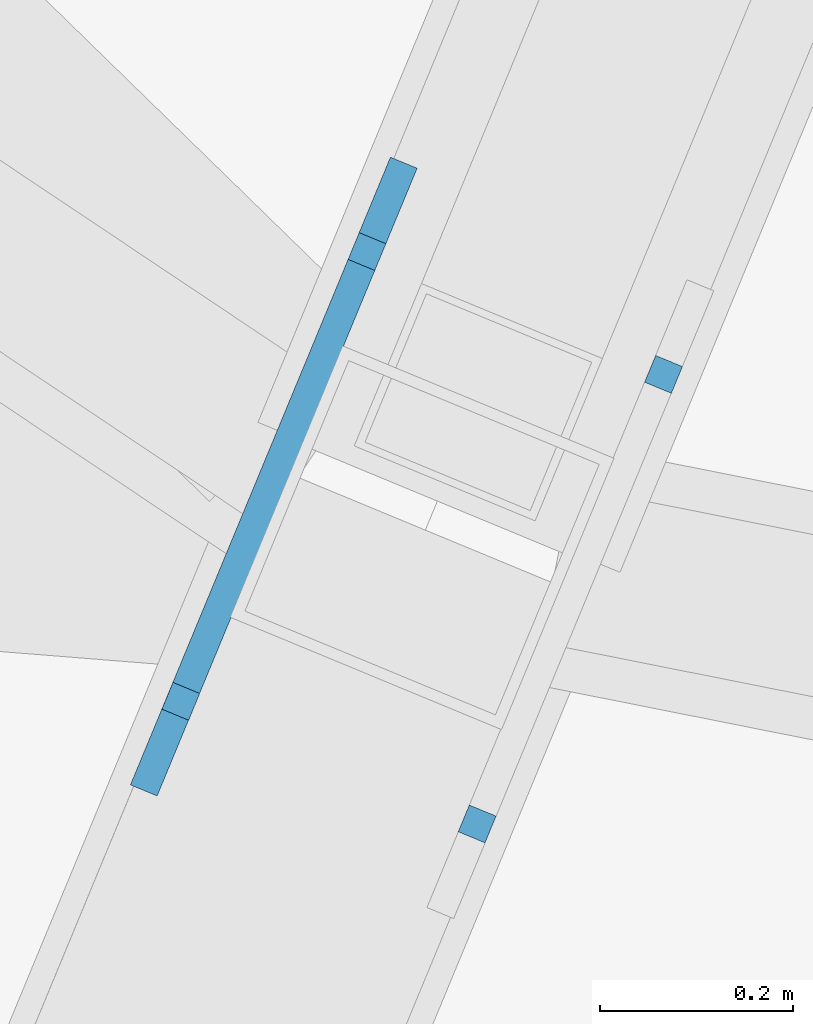
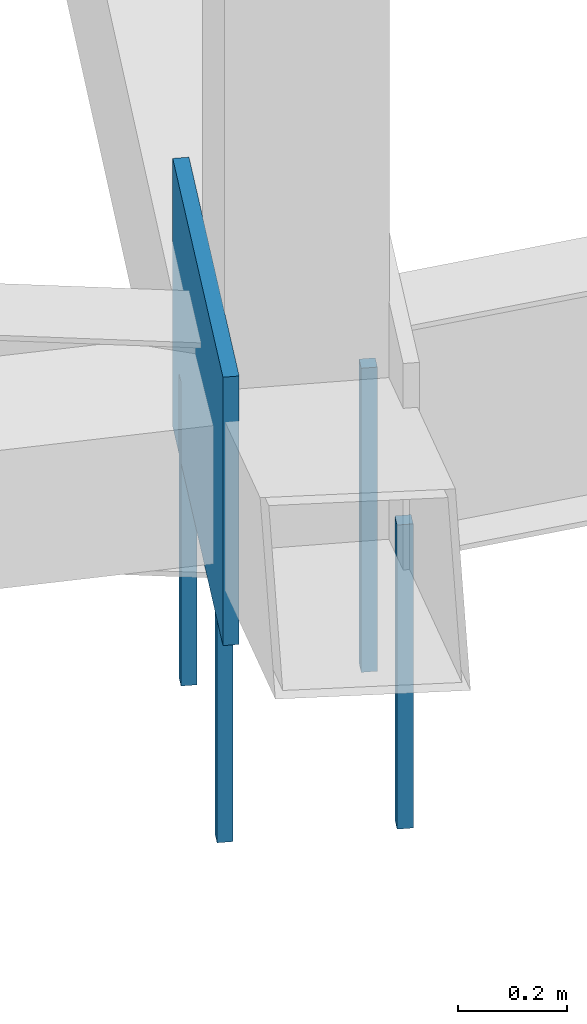
# One storey, part 118 of 278: 4 mechanical fasteners, 1 discrete accessory.
"""IFC4 building model written with IfcOpenShell, lengths in metres."""

import ifcopenshell
import ifcopenshell.guid

model = None  # the IFC model being written
_history = None  # IfcOwnerHistory: only IFC2X3 demands one
_inside = {}  # id of a spatial element -> (the spatial element, [elements in it])
_under = {}  # id of a project, library or spatial element -> (it, [spatial elements below it])
_declared = {}  # id of a project -> (the project, [libraries it declares])
_typed = {}  # id of a type object -> (the type object, [elements of that type])
_made_of = {}  # id of a material, layer set ... -> (it, [elements and type objects made of it])


def new_model(schema):
    """Start an empty IFC model of exactly this schema.

    Asked for "IFC4X3", IfcOpenShell would pick the latest addendum, in which some entities
    have other attributes; the version numbers below select the first issue.
    IFC2X3 requires an IfcOwnerHistory on every rooted entity: one is made here for all.
    """
    global model, _history
    if schema == "IFC4X3":
        model = ifcopenshell.file(schema_version=(4, 3, 0, 0))
    else:
        model = ifcopenshell.file(schema=schema)
    _inside.clear()
    _under.clear()
    _declared.clear()
    _typed.clear()
    _made_of.clear()
    _history = None
    if model.schema == "IFC2X3":
        org = make("IfcOrganization", Name="unknown")
        user = make(
            "IfcPersonAndOrganization",
            ThePerson=make("IfcPerson", FamilyName="unknown"),
            TheOrganization=org,
        )
        app = make(
            "IfcApplication",
            ApplicationDeveloper=org,
            Version="unknown",
            ApplicationFullName="unknown",
            ApplicationIdentifier="unknown",
        )
        _history = make(
            "IfcOwnerHistory",
            OwningUser=user,
            OwningApplication=app,
            ChangeAction="ADDED",
            CreationDate=0,
        )
    return model


def make(cls, **values):
    """One entity of the class cls with the attributes given. An attribute that is None is left unset."""
    return model.create_entity(
        cls, **{name: value for name, value in values.items() if value is not None}
    )


def rooted(cls, **values):
    """An entity with a GlobalId (a new one), such as an element, a storey or a relation."""
    return make(cls, GlobalId=ifcopenshell.guid.new(), OwnerHistory=_history, **values)


def si_unit(unit_type, name, prefix=None):
    """IfcSIUnit, for example si_unit("LENGTHUNIT", "METRE", prefix="MILLI")."""
    return make("IfcSIUnit", UnitType=unit_type, Prefix=prefix, Name=name)


def assignment(units):
    """IfcUnitAssignment: the units of a project."""
    return None if units is None else make("IfcUnitAssignment", Units=units)


def point(xyz):
    """IfcCartesianPoint."""
    return None if xyz is None else make("IfcCartesianPoint", Coordinates=xyz)


def direction(xyz):
    """IfcDirection."""
    return None if xyz is None else make("IfcDirection", DirectionRatios=xyz)


def frame(location, z_axis=None, x_axis=None):
    """IfcAxis2Placement3D, a coordinate frame: its origin and axes. An axis left out is left unset."""
    return make(
        "IfcAxis2Placement3D",
        Location=point(location),
        Axis=direction(z_axis),
        RefDirection=direction(x_axis),
    )


def frame_2d(location, x_axis=None):
    """IfcAxis2Placement2D, a coordinate frame in the plane: its origin and x axis."""
    return make(
        "IfcAxis2Placement2D", Location=point(location), RefDirection=direction(x_axis)
    )


def origin():
    """The frame at (0, 0, 0) with its axes left unset."""
    return frame((0.0, 0.0, 0.0))


def origin_2d():
    """The frame at (0, 0) in the plane with its x axis left unset."""
    return frame_2d((0.0, 0.0))


def place(relative_to, where):
    """IfcLocalPlacement: puts the frame where relative to a parent placement (None: the world)."""
    return make(
        "IfcLocalPlacement", PlacementRelTo=relative_to, RelativePlacement=where
    )


def context(
    kind, dimensions, precision=None, world=None, true_north=None, identifier=None
):
    """IfcGeometricRepresentationContext, for example the 3D "Model" context."""
    return make(
        "IfcGeometricRepresentationContext",
        ContextIdentifier=identifier,
        ContextType=kind,
        CoordinateSpaceDimension=dimensions,
        Precision=precision,
        WorldCoordinateSystem=world,
        TrueNorth=true_north,
    )


def subcontext(parent, identifier, kind, view, scale=None):
    """IfcGeometricRepresentationSubContext, for example "Body" below "Model"."""
    return make(
        "IfcGeometricRepresentationSubContext",
        ContextIdentifier=identifier,
        ContextType=kind,
        ParentContext=parent,
        TargetScale=scale,
        TargetView=view,
    )


def project(units=None, contexts=None):
    """IfcProject with its units and contexts."""
    return rooted(
        "IfcProject",
        Name="project",
        RepresentationContexts=contexts,
        UnitsInContext=assignment(units),
    )


def spatial(cls, under=None, at=None, **own):
    """A site, building, storey or space (cls), placed at a placement, below another one or the project."""
    s = rooted(cls, ObjectPlacement=at, **own)
    if under is not None:
        _under.setdefault(under.id(), (under, []))[1].append(s)
    return s


def profile(cls, at=None, kind="AREA", **sizes):
    """A parametric profile (cls). Its sizes go by their IFC names, for example OverallWidth=200.0."""
    return make(cls, ProfileType=kind, Position=at, **sizes)


def rectangle(**sizes):
    """IfcRectangleProfileDef."""
    return profile("IfcRectangleProfileDef", **sizes)


def extrude(swept, where, along, depth):
    """IfcExtrudedAreaSolid: the profile swept, set in the frame where, extruded along a direction by depth."""
    return make(
        "IfcExtrudedAreaSolid",
        SweptArea=swept,
        Position=where,
        ExtrudedDirection=direction(along),
        Depth=depth,
    )


def shape(context_of_items, identifier, shape_type, items):
    """IfcShapeRepresentation: the items that make up one representation, for example the "Body"."""
    return make(
        "IfcShapeRepresentation",
        ContextOfItems=context_of_items,
        RepresentationIdentifier=identifier,
        RepresentationType=shape_type,
        Items=items,
    )


def material(Name=None, Category=None):
    """IfcMaterial."""
    return make("IfcMaterial", Name=Name, Category=Category)


def layer(
    of_material, thickness, ventilated=None, Name=None, Category=None, Priority=None
):
    """IfcMaterialLayer: one layer of a wall or slab, of a material (None: an air gap)."""
    return make(
        "IfcMaterialLayer",
        Material=of_material,
        LayerThickness=thickness,
        IsVentilated=ventilated,
        Name=Name,
        Category=Category,
        Priority=Priority,
    )


def layer_set(layers, Name=None):
    """IfcMaterialLayerSet."""
    return make("IfcMaterialLayerSet", MaterialLayers=layers, LayerSetName=Name)


def made_of(thing, what):
    """Note that an element or type object is made of a material, layer set ...; save() writes the relation."""
    if what is not None:
        _made_of.setdefault(what.id(), (what, []))[1].append(thing)
    return thing


def type_object(cls, material=None, **own):
    """A type object (cls), such as IfcWallType, which elements share."""
    return made_of(rooted(cls, **own), material)


def element(
    cls,
    number,
    at=None,
    inside=None,
    cuts=None,
    type_object=None,
    material=None,
    context=None,
    identifier="Body",
    shape_type=None,
    held_by="IfcProductDefinitionShape",
    body=None,
    shapes=None,
    **own,
):
    """One element of the class cls, such as IfcWall. Its Tag is "e" and its number.

    at: its placement. inside: the storey or other place that contains it. cuts: it is an
    opening in that element (IfcRelVoidsElement). A single representation is given by context,
    identifier, shape_type and body (its items); several are given by shapes. held_by: the class
    of the entity that holds the representations. save() writes the other relations.
    """
    e = rooted(cls, Tag="e%d" % number, ObjectPlacement=at, **own)
    if body is not None:
        shapes = [shape(context, identifier, shape_type, body)]
    if shapes is not None:
        e.Representation = make(held_by, Representations=shapes)
    if inside is not None:
        _inside.setdefault(inside.id(), (inside, []))[1].append(e)
    if cuts is not None:
        rooted(
            "IfcRelVoidsElement", RelatingBuildingElement=cuts, RelatedOpeningElement=e
        )
    if type_object is not None:
        _typed.setdefault(type_object.id(), (type_object, []))[1].append(e)
    return made_of(e, material)


def aggregate(whole, parts):
    """IfcRelAggregates: a whole, such as a stair, and the parts it consists of."""
    return rooted("IfcRelAggregates", RelatingObject=whole, RelatedObjects=parts)


def save(model, path):
    """Write the relations noted so far, then the file.

    IfcRelAggregates (storeys below a building ...), IfcRelContainedInSpatialStructure (elements
    in a storey), IfcRelDefinesByType, IfcRelAssociatesMaterial and IfcRelDeclares: one each for
    every whole, place, type object, material and project.
    """
    for whole, parts in _under.values():
        aggregate(whole, parts)
    for where, things in _inside.values():
        rooted(
            "IfcRelContainedInSpatialStructure",
            RelatedElements=things,
            RelatingStructure=where,
        )
    for kind, things in _typed.values():
        rooted("IfcRelDefinesByType", RelatedObjects=things, RelatingType=kind)
    for what, things in _made_of.values():
        rooted("IfcRelAssociatesMaterial", RelatedObjects=things, RelatingMaterial=what)
    for by, libraries in _declared.values():
        rooted("IfcRelDeclares", RelatingContext=by, RelatedDefinitions=libraries)
    model.write(path)


model = new_model("IFC4")

# Units and contexts
model_context = context("Model", 3, precision=1e-05, world=origin(), true_north=direction((0.0, 1.0)))
body_context = subcontext(model_context, "Body", "Model", "MODEL_VIEW")
ifc_project = project(units=[si_unit("LENGTHUNIT", "METRE"), si_unit("AREAUNIT", "SQUARE_METRE"), si_unit("VOLUMEUNIT", "CUBIC_METRE"), si_unit("PLANEANGLEUNIT", "RADIAN"), si_unit("MASSUNIT", "GRAM", prefix="KILO")], contexts=[model_context])

# Site, building, storey
site_placement = place(None, origin())
site = spatial("IfcSite", under=ifc_project, at=site_placement, CompositionType="ELEMENT")
building_placement = place(site_placement, origin())
building = spatial("IfcBuilding", under=site, at=building_placement, Name="Ogive Plaza Stadium", CompositionType="ELEMENT")
storey_placement = place(building_placement, frame((0.0, 0.0, 29.0)))
storey = spatial("IfcBuildingStorey", under=building, at=storey_placement, Name="Roof", CompositionType="ELEMENT", Elevation=29.0)

# Mechanical fasteners
ifc_material_1 = material(Name="Steel ASTM A992 Grade 50", Category="steel")
mechanical_fastener_type = type_object("IfcMechanicalFastenerType", Name="Anchor bolt M30 x 600", PredefinedType="ANCHORBOLT", material=ifc_material_1)
for number, where, z_axis, x_axis, name in (
    (1, (-49.250244140625, -89.751953125, -0.5), (0.0, 0.0, 1.0), (-0.382683432365, -0.923879532511, 0.0), "ANCHOR BOLT 18 BP 1.1"),
    (2, (-49.056884765625, -89.28564453125, -0.5), (0.0, 0.0, 1.0), (-0.382683432365, -0.923879532511, 0.0), "ANCHOR BOLT 18 BP 1.2"),
    (3, (-49.5576171875, -89.624755859375, -0.5), (0.0, 0.0, 1.0), (-0.382683432365, -0.923879532511, 0.0), "ANCHOR BOLT 18 BP 2.1"),
    (4, (-49.364501953125, -89.158203125, -0.5), (0.0, 0.0, 1.0), (-0.382683432365, -0.923879532511, 0.0), "ANCHOR BOLT 18 BP 2.2"),
):
    element("IfcMechanicalFastener", number, at=place(storey_placement, frame(where, z_axis=z_axis, x_axis=x_axis)), inside=storey, type_object=mechanical_fastener_type, Name=name, PredefinedType="ANCHORBOLT", context=body_context, shape_type="SweptSolid", body=[
        extrude(rectangle(XDim=0.030029296875, YDim=0.030029296875, at=origin_2d()), origin(), (0.0, 0.0, 1.0), 0.679931640625),
    ])

# Discrete accessory
ifc_material_2 = material(Name="Steel ASTM A992 Grade 50", Category="steel")
ifc_layer = layer(ifc_material_2, 0.030029296875)
ifc_layer_set = layer_set([ifc_layer], Name="Steel ASTM A992 Grade 50")
discrete_accessory_type = type_object("IfcDiscreteAccessoryType", Name="Truss root foot cleat plate 30", PredefinedType="ANCHORPLATE", material=ifc_layer_set)
discrete_accessory_placement = place(storey_placement, frame((-49.461181640625, -89.3916015625, 0.0), z_axis=(0.0, 0.0, 1.0), x_axis=(-0.382683432365, -0.923879532511, 0.0)))
element("IfcDiscreteAccessory", 5, at=discrete_accessory_placement, inside=storey, type_object=discrete_accessory_type, Name="TRUSS ROOT FOOT CLEAT PLATE 18 2", PredefinedType="ANCHORPLATE", context=body_context, shape_type="SweptSolid", body=[
    extrude(rectangle(XDim=0.704833984375, YDim=0.030029296875, at=origin_2d()), origin(), (0.0, 0.0, 1.0), 0.60009765625),
])

save(model, "model.ifc")
